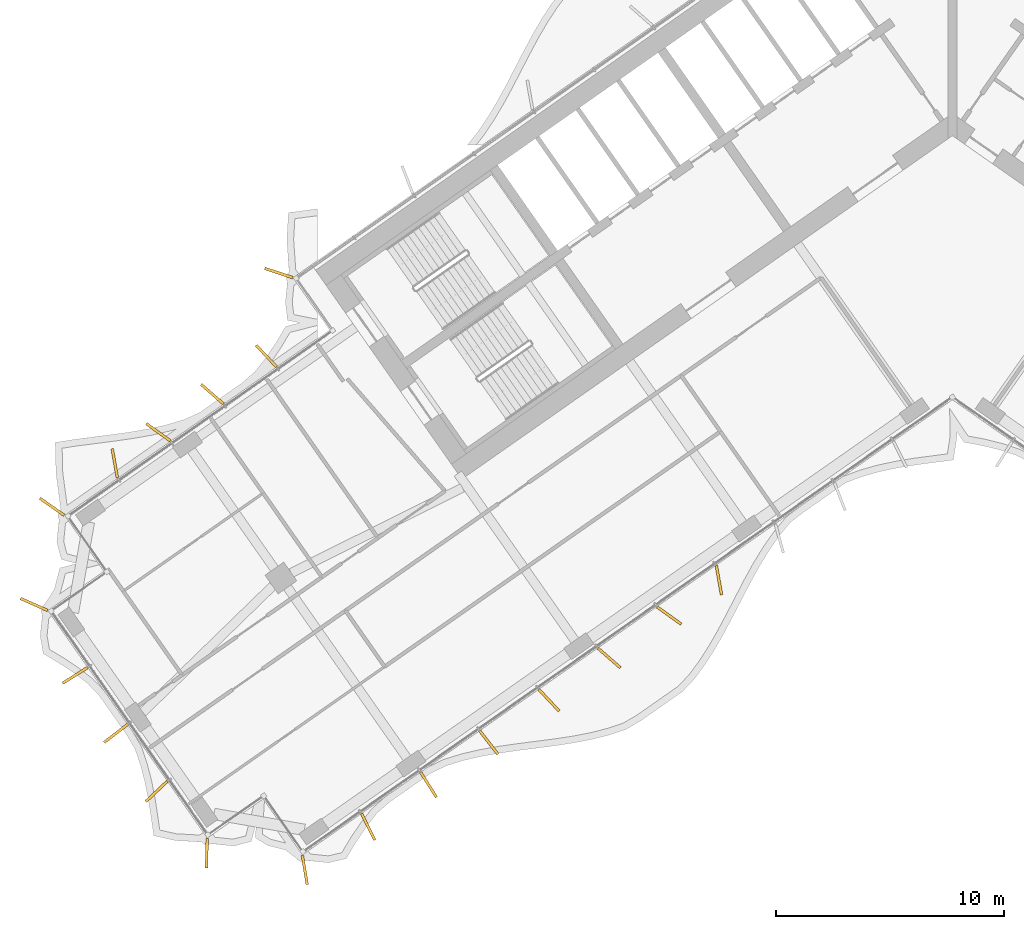
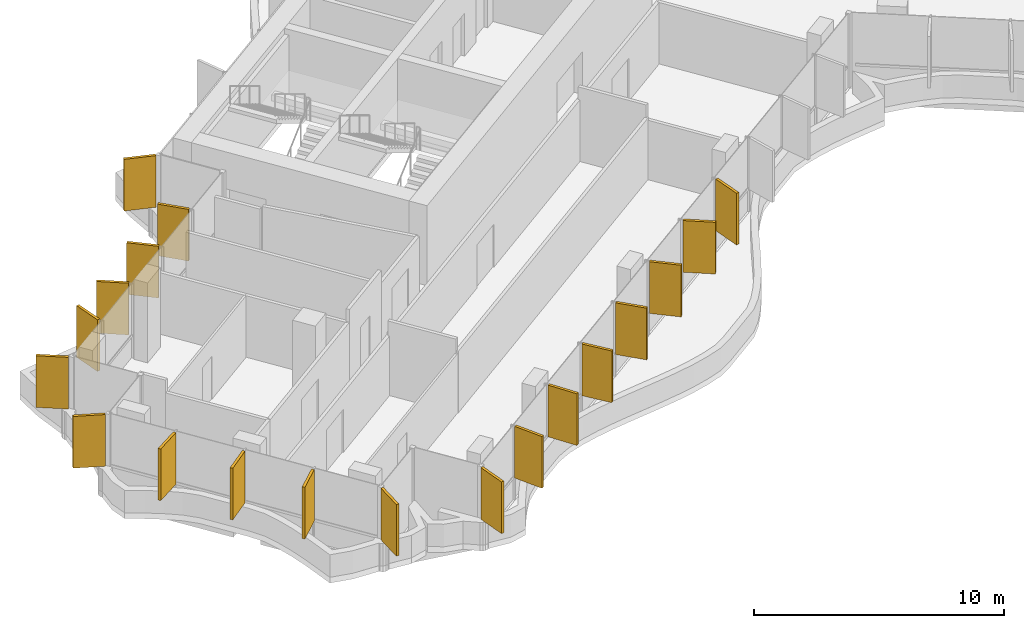
# One storey, part 17 of 21: 19 shading devices.
"""IFC4 building model written with IfcOpenShell, lengths in metres."""

from ifc_helpers import new_model, si_unit, direction, frame, origin, origin_2d, place, context, subcontext, project, spatial, rectangle, extrude, material, layer, layer_set, type_object, element, save


model = new_model("IFC4")

# Units and contexts
model_context = context("Model", 3, precision=1e-05, world=origin(), true_north=direction((0.0, 1.0)))
body_context = subcontext(model_context, "Body", "Model", "MODEL_VIEW")
ifc_project = project(units=[si_unit("LENGTHUNIT", "METRE"), si_unit("AREAUNIT", "SQUARE_METRE"), si_unit("VOLUMEUNIT", "CUBIC_METRE"), si_unit("PLANEANGLEUNIT", "RADIAN"), si_unit("MASSUNIT", "GRAM", prefix="KILO")], contexts=[model_context])

# Site, building, storey
site_placement = place(None, origin())
site = spatial("IfcSite", under=ifc_project, at=site_placement, CompositionType="ELEMENT")
building_placement = place(site_placement, origin())
building = spatial("IfcBuilding", under=site, at=building_placement, Name="Tel Ilan Convention Tower", CompositionType="ELEMENT")
storey_placement = place(building_placement, frame((0.0, 0.0, 159.300048828125)))
storey = spatial("IfcBuildingStorey", under=building, at=storey_placement, Name="L36", CompositionType="ELEMENT", Elevation=159.300048828125)

# Shading devices
ifc_material = material(Name="Aluminium, bronze anodised", Category="aluminium")
ifc_layer = layer(ifc_material, 0.1201171875)
ifc_layer_set = layer_set([ifc_layer], Name="FIN BRONZE 1300x120")
shading_device_type = type_object("IfcShadingDeviceType", Name="FIN BRONZE 1300x120", PredefinedType="USERDEFINED", material=ifc_layer_set)
for number, where, z_axis, x_axis, name in (
    (1, (-29.583984375, -7.253173828125, 1.099853515625), (0.0, 0.0, 1.0), (-0.949242643575, 0.314544756146, 0.0), "FIN"),
    (2, (-30.1298828125, -10.902099609375, 1.099853515625), (0.0, 0.0, 1.0), (-0.686241637865, 0.727373641577, 0.0), "FIN"),
    (3, (-32.503173828125, -12.57177734375, 1.099853515625), (0.0, 0.0, 1.0), (-0.753435896329, 0.657521368568, 0.0), "FIN"),
    (4, (-34.8720703125, -14.24560546875, 1.099853515625), (0.0, 0.0, 1.0), (-0.813552070258, 0.581492071294, 0.0), "FIN"),
    (5, (-36.785400390625, -15.60791015625, 1.099853515625), (0.0, 0.0, 1.0), (-0.173648177667, 0.984807753012, 0.0), "FIN"),
    (6, (-39.541748046875, -17.520263671875, 1.099853515625), (0.0, 0.0, 1.0), (-0.819152044289, 0.573576436351, 0.0), "FIN"),
    (7, (-40.32958984375, -21.81005859375, 1.099853515625), (0.0, 0.0, 1.0), (-0.914332505315, 0.404964282034, 0.0), "FIN"),
    (8, (-38.52392578125, -24.922119140625, 1.099853515625), (0.0, 0.0, 1.0), (-0.845986425922, -0.533204432798, 0.0), "FIN"),
    (9, (-36.73828125, -27.471923828125, 1.099853515625), (0.0, 0.0, 1.0), (-0.790392669516, -0.612600545196, 0.0), "FIN"),
    (10, (-34.952880859375, -30.021728515625, 1.099853515625), (0.0, 0.0, 1.0), (-0.727373641577, -0.686241637865, 0.0), "FIN"),
    (11, (-32.744140625, -32.72705078125, 1.099853515625), (0.0, 0.0, 1.0), (-0.029084718749, -0.999576950082, 0.0), "FIN"),
    (12, (-28.4423828125, -33.46630859375, 1.099853515625), (0.0, 0.0, 1.0), (0.16409119891, -0.986445172547, 0.0), "FIN"),
    (13, (-25.654296875, -31.576416015625, 1.099853515625), (0.0, 0.0, 1.0), (0.448799180206, -0.893632640321, 0.0), "FIN"),
    (14, (-23.007568359375, -29.7236328125, 1.099853515625), (0.0, 0.0, 1.0), (0.533204432798, -0.845986425922, 0.0), "FIN"),
    (15, (-20.36083984375, -27.87060546875, 1.099853515625), (0.0, 0.0, 1.0), (0.612600545196, -0.790392669516, 0.0), "FIN"),
    (16, (-17.714599609375, -26.01708984375, 1.099853515625), (0.0, 0.0, 1.0), (0.686241637865, -0.727373641577, 0.0), "FIN"),
    (17, (-15.07275390625, -24.159423828125, 1.099853515625), (0.0, 0.0, 1.0), (0.753435896329, -0.657521368568, 0.0), "FIN"),
    (18, (-12.435302734375, -22.29736328125, 1.099853515625), (0.0, 0.0, 1.0), (0.813552070258, -0.581492071294, 0.0), "FIN"),
    (19, (-10.253173828125, -20.746826171875, 1.099853515625), (0.0, 0.0, 1.0), (0.173648177667, -0.984807753012, 0.0), "FIN"),
):
    element("IfcShadingDevice", number, at=place(storey_placement, frame(where, z_axis=z_axis, x_axis=x_axis)), inside=storey, type_object=shading_device_type, Name=name, ObjectType="FIN", PredefinedType="USERDEFINED", context=body_context, shape_type="SweptSolid", body=[
        extrude(rectangle(XDim=1.300048828125, YDim=0.1201171875, at=origin_2d()), origin(), (0.0, 0.0, 1.0), 2.52001953125),
    ])

save(model, "model.ifc")
